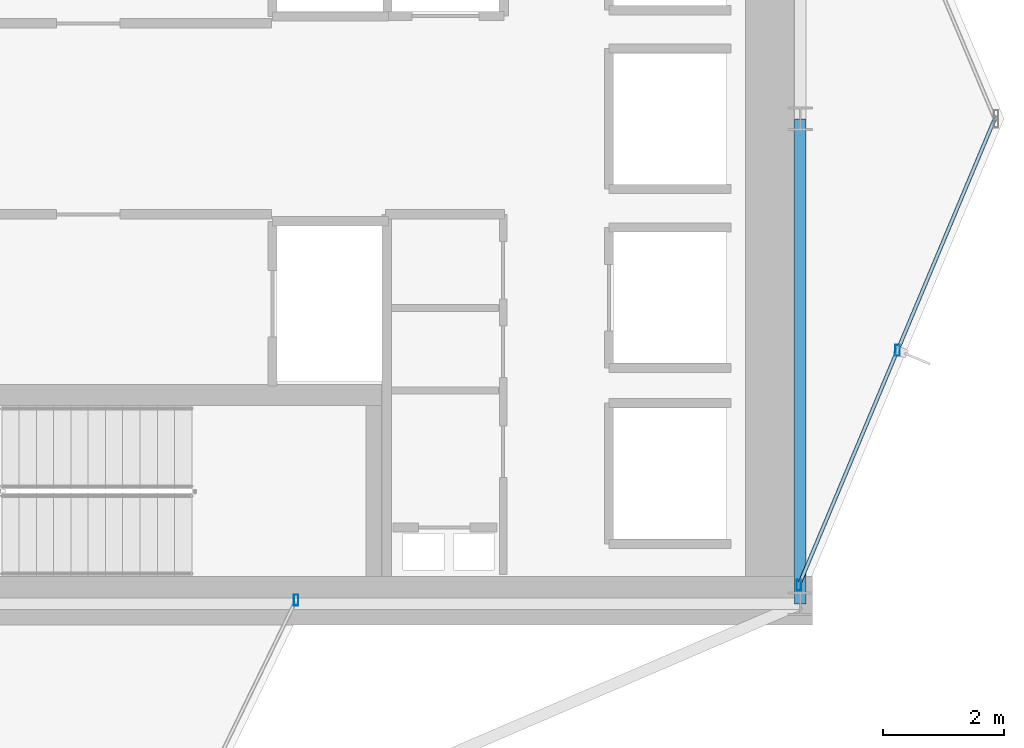
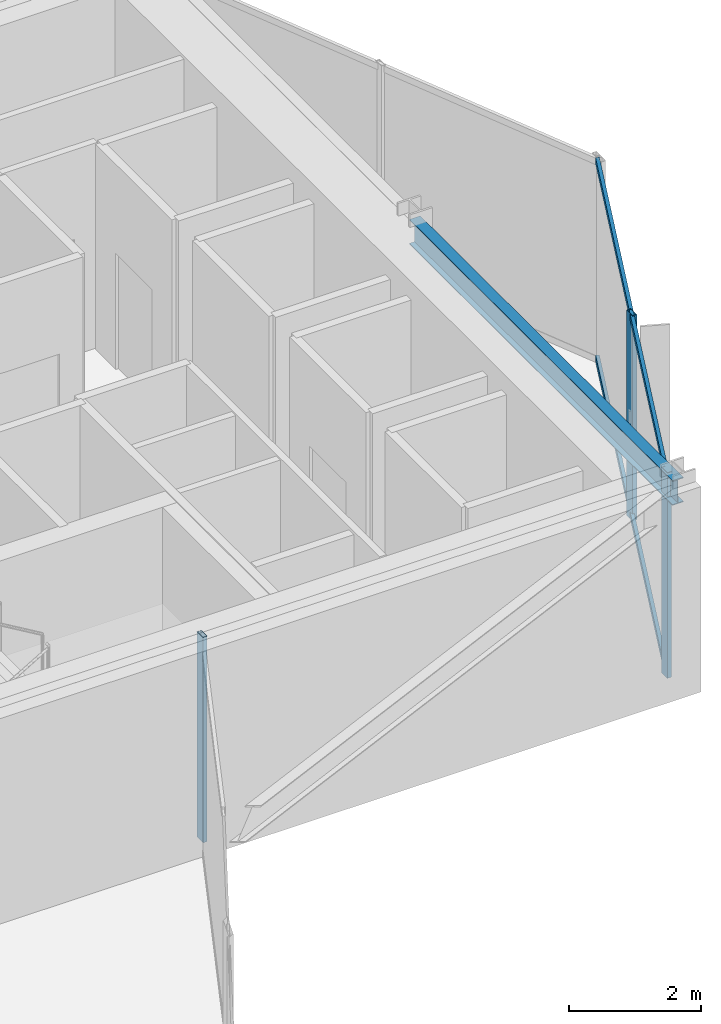
# One storey, part 13 of 25: 5 members, 1 beam, 2 elements without a shape of their own.
"""IFC4 building model written with IfcOpenShell, lengths in metres."""

from ifc_helpers import new_model, si_unit, direction, frame, origin, origin_2d, place, context, subcontext, project, spatial, hollow_rectangle, i_section, extrude, material, layer, layer_set, material_profile, profile_set, type_object, element, aggregate, save


model = new_model("IFC4")

# Units and contexts
model_context = context("Model", 3, precision=1e-05, world=origin(), true_north=direction((0.0, 1.0)))
body_context = subcontext(model_context, "Body", "Model", "MODEL_VIEW")
ifc_project = project(units=[si_unit("LENGTHUNIT", "METRE"), si_unit("AREAUNIT", "SQUARE_METRE"), si_unit("VOLUMEUNIT", "CUBIC_METRE"), si_unit("PLANEANGLEUNIT", "RADIAN"), si_unit("MASSUNIT", "GRAM", prefix="KILO")], contexts=[model_context])

# Site, building, storey
site_placement = place(None, origin())
site = spatial("IfcSite", under=ifc_project, at=site_placement, CompositionType="ELEMENT")
building_placement = place(site_placement, origin())
building = spatial("IfcBuilding", under=site, at=building_placement, Name="Veymaron Broadcast Tower", CompositionType="ELEMENT")
storey_placement = place(building_placement, frame((0.0, 0.0, 120.89990234375)))
storey = spatial("IfcBuildingStorey", under=building, at=storey_placement, Name="L27", CompositionType="ELEMENT", Elevation=120.89990234375)

# Beam
ifc_material_1 = material(Name="Structural steel ASTM A992 Gr 50", Category="steel")
ifc_material_profile_1 = material_profile(ifc_material_1, i_section(OverallWidth=0.19091796875, OverallDepth=0.4599609375, WebThickness=0.010009765625, FlangeThickness=0.01611328125, at=origin_2d()), Name="W460X82")
ifc_profile_set_1 = profile_set([ifc_material_profile_1], Name="Structural steel ASTM A992 Gr 50")
beam_type = type_object("IfcBeamType", Name="BM-SP1", PredefinedType="SPANDREL", material=ifc_profile_set_1)
beam_placement = place(storey_placement, frame((54.60009765625, 16.0, 3.580078125), z_axis=(0.0, 1.0, 0.0), x_axis=(-1.0, 0.0, 0.0)))
element("IfcBeam", 1, at=beam_placement, inside=storey, type_object=beam_type, Name="L27 primary structural floor girder", PredefinedType="SPANDREL", context=body_context, shape_type="SweptSolid", body=[
    extrude(i_section(OverallWidth=0.19091796875, OverallDepth=0.4599609375, WebThickness=0.010009765625, FlangeThickness=0.01611328125, at=origin_2d()), origin(), (0.0, 0.0, 1.0), 8.0),
])

# Curtain wall, members
ifc_material_2 = material(Name="Anodised aluminium AA 6063-T6 and laminated low-E dark glass", Category="aluminium")
ifc_layer = layer(ifc_material_2, 0.179931640625)
ifc_layer_set = layer_set([ifc_layer], Name="Anodised aluminium AA 6063-T6 and laminated low-E dark glass")
curtain_wall_type = type_object("IfcCurtainWallType", Name="CW-SYS-03", PredefinedType="NOTDEFINED", material=ifc_layer_set)
curtain_wall_1_placement = place(storey_placement, origin())
curtain_wall_1 = element("IfcCurtainWall", 2, at=curtain_wall_1_placement, inside=storey, type_object=curtain_wall_type, Name="L27 dark-glass curtain wall CW-L27-E2-1", PredefinedType="NOTDEFINED")
ifc_material_3 = material(Name="Anodised aluminium AA 6063-T6", Category="aluminium")
ifc_material_profile_2 = material_profile(ifc_material_3, hollow_rectangle(XDim=0.074951171875, YDim=0.179931640625, WallThickness=0.0048828125, at=origin_2d()), Name="AL180X75X5")
ifc_profile_set_2 = profile_set([ifc_material_profile_2], Name="Anodised aluminium AA 6063-T6")
member_type_1 = type_object("IfcMemberType", Name="CW-MUL-02", PredefinedType="MULLION", material=ifc_profile_set_2)
member_1_placement = place(storey_placement, frame((54.576904296875, 16.306396484375, 0.0), z_axis=(0.0, 0.0, 1.0), x_axis=(1.0, 0.0, 0.0)))
member_1 = element("IfcMember", 3, at=member_1_placement, type_object=member_type_1, Name="CW-L27-E2-1 mullion 0", PredefinedType="MULLION", context=body_context, shape_type="SweptSolid", body=[
    extrude(hollow_rectangle(XDim=0.074951171875, YDim=0.179931640625, WallThickness=0.0048828125, at=origin_2d()), origin(), (0.0, 0.0, 1.0), 3.81005859375),
])
member_2_placement = place(storey_placement, frame((56.203857421875, 20.180419921875, 0.0), z_axis=(0.0, 0.0, 1.0), x_axis=(1.0, 0.0, 0.0)))
member_2 = element("IfcMember", 4, at=member_2_placement, type_object=member_type_1, Name="CW-L27-E2-1 mullion 1", PredefinedType="MULLION", context=body_context, shape_type="SweptSolid", body=[
    extrude(hollow_rectangle(XDim=0.074951171875, YDim=0.179931640625, WallThickness=0.0048828125, at=origin_2d()), origin(), (0.0, 0.0, 1.0), 3.81005859375),
])

# Curtain wall, member
curtain_wall_2_placement = place(storey_placement, origin())
curtain_wall_2 = element("IfcCurtainWall", 5, at=curtain_wall_2_placement, inside=storey, type_object=curtain_wall_type, Name="L27 dark-glass curtain wall CW-L27-E20-1", PredefinedType="NOTDEFINED")
member_3_placement = place(storey_placement, frame((46.284423828125, 16.061279296875, 0.0), z_axis=(0.0, 0.0, 1.0), x_axis=(1.0, 0.0, 0.0)))
member_3 = element("IfcMember", 6, at=member_3_placement, type_object=member_type_1, Name="CW-L27-E20-1 mullion 2", PredefinedType="MULLION", context=body_context, shape_type="SweptSolid", body=[
    extrude(hollow_rectangle(XDim=0.074951171875, YDim=0.179931640625, WallThickness=0.0048828125, at=origin_2d()), origin(), (0.0, 0.0, 1.0), 3.81005859375),
])
aggregate(curtain_wall_2, [member_3])

# Member
ifc_material_profile_3 = material_profile(ifc_material_3, hollow_rectangle(XDim=0.06005859375, YDim=0.1201171875, WallThickness=0.00390625, at=origin_2d()), Name="AL120X60X4")
ifc_profile_set_3 = profile_set([ifc_material_profile_3], Name="Anodised aluminium AA 6063-T6")
member_type_2 = type_object("IfcMemberType", Name="CW-TRN-02", PredefinedType="USERDEFINED", material=ifc_profile_set_3)
member_4_placement = place(storey_placement, frame((54.59619140625, 16.352294921875, 0.070068359375), z_axis=(0.387223486805, 0.921985884527, 0.0), x_axis=(-0.921985884527, 0.387223486805, 0.0)))
member_4 = element("IfcMember", 7, at=member_4_placement, type_object=member_type_2, Name="CW-L27-E2-1 transom B", ObjectType="TRANSOM", PredefinedType="USERDEFINED", context=body_context, shape_type="SweptSolid", body=[
    extrude(hollow_rectangle(XDim=0.06005859375, YDim=0.1201171875, WallThickness=0.00390625, at=origin_2d()), origin(), (0.0, 0.0, 1.0), 8.303466796875),
])

member_5_placement = place(storey_placement, frame((54.59619140625, 16.352294921875, 3.739990234375), z_axis=(0.387223486805, 0.921985884527, 0.0), x_axis=(-0.921985884527, 0.387223486805, 0.0)))
member_5 = element("IfcMember", 8, at=member_5_placement, type_object=member_type_2, Name="CW-L27-E2-1 transom T", ObjectType="TRANSOM", PredefinedType="USERDEFINED", context=body_context, shape_type="SweptSolid", body=[
    extrude(hollow_rectangle(XDim=0.06005859375, YDim=0.1201171875, WallThickness=0.00390625, at=origin_2d()), origin(), (0.0, 0.0, 1.0), 8.303466796875),
])

aggregate(curtain_wall_1, [member_1, member_2, member_4, member_5])

save(model, "model.ifc")
